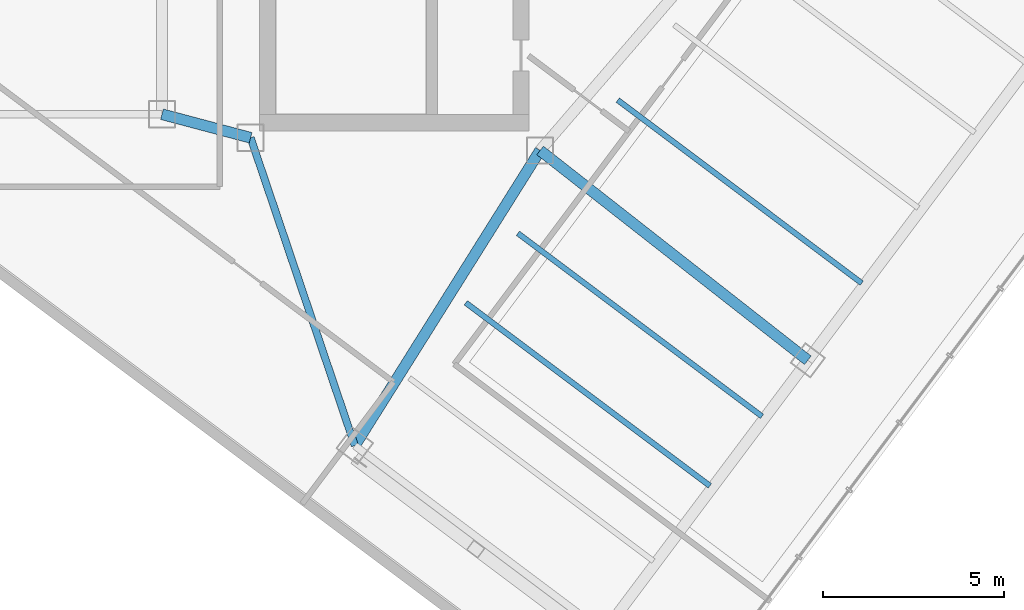
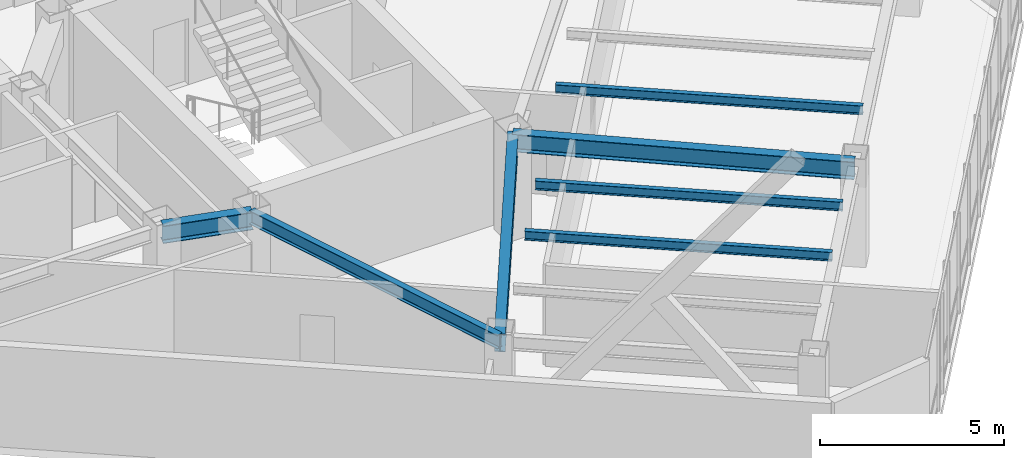
# One storey, part 3 of 24: 7 beams.
"""IFC4 building model written with IfcOpenShell, lengths in metres."""

from ifc_helpers import new_model, si_unit, direction, frame, origin, origin_2d, place, context, subcontext, project, spatial, i_section, extrude, material, material_profile, profile_set, type_object, element, save


model = new_model("IFC4")

# Units and contexts
model_context = context("Model", 3, precision=1e-05, world=origin(), true_north=direction((0.0, 1.0)))
body_context = subcontext(model_context, "Body", "Model", "MODEL_VIEW")
ifc_project = project(units=[si_unit("LENGTHUNIT", "METRE"), si_unit("AREAUNIT", "SQUARE_METRE"), si_unit("VOLUMEUNIT", "CUBIC_METRE"), si_unit("PLANEANGLEUNIT", "RADIAN"), si_unit("MASSUNIT", "GRAM", prefix="KILO")], contexts=[model_context])

# Site, building, storey
site_placement = place(None, origin())
site = spatial("IfcSite", under=ifc_project, at=site_placement, CompositionType="ELEMENT")
building_placement = place(site_placement, origin())
building = spatial("IfcBuilding", under=site, at=building_placement, Name="Hatsunagi Terrace Concourse", CompositionType="ELEMENT")
storey_placement = place(building_placement, frame((0.0, 0.0, 191.550048828125)))
storey = spatial("IfcBuildingStorey", under=building, at=storey_placement, Name="L50", CompositionType="ELEMENT", Elevation=191.550048828125)

# Beams
ifc_material_1 = material(Name="Steel SN490B", Category="steel")
ifc_material_profile_1 = material_profile(ifc_material_1, i_section(OverallWidth=0.300048828125, OverallDepth=0.587890625, WebThickness=0.011962890625, FlangeThickness=0.02001953125, FilletRadius=0.01806640625, at=origin_2d()), Name="H-588x300x12x20")
ifc_profile_set_1 = profile_set([ifc_material_profile_1], Name="Steel SN490B")
beam_type_1 = type_object("IfcBeamType", Name="OfficeHighGirder_H_588x300", PredefinedType="BEAM", material=ifc_profile_set_1)
beam_1_placement = place(storey_placement, frame((33.35009765625, 25.199951171875, 3.055908203125), z_axis=(0.966569840116, -0.256403479262, 0.0), x_axis=(0.256403479262, 0.966569840116, 0.0)))
element("IfcBeam", 1, at=beam_1_placement, inside=storey, type_object=beam_type_1, Name="Beam G-06 BM-L50-K2CB", PredefinedType="BEAM", context=body_context, shape_type="SweptSolid", body=[
    extrude(i_section(OverallWidth=0.300048828125, OverallDepth=0.587890625, WebThickness=0.011962890625, FlangeThickness=0.02001953125, FilletRadius=0.01806640625, at=origin_2d()), origin(), (0.0, 0.0, 1.0), 2.53466796875),
])
beam_2_placement = place(storey_placement, frame((38.679931640625, 16.0400390625, 3.055908203125), z_axis=(0.531503907049, 0.847055840421, 0.0), x_axis=(-0.847055840421, 0.531503907049, 0.0)))
element("IfcBeam", 2, at=beam_2_placement, inside=storey, type_object=beam_type_1, Name="Beam G-06 BM-L50-SET-1A", PredefinedType="BEAM", context=body_context, shape_type="SweptSolid", body=[
    extrude(i_section(OverallWidth=0.300048828125, OverallDepth=0.587890625, WebThickness=0.011962890625, FlangeThickness=0.02001953125, FilletRadius=0.01806640625, at=origin_2d()), origin(), (0.0, 0.0, 1.0), 9.63330078125),
])
beam_3_placement = place(storey_placement, frame((43.800048828125, 24.199951171875, 3.055908203125), z_axis=(0.787049441068, -0.616889923175, 0.0), x_axis=(0.616889923175, 0.787049441068, 0.0)))
element("IfcBeam", 3, at=beam_3_placement, inside=storey, type_object=beam_type_1, Name="Beam G-06 BM-L50-SE-M2", PredefinedType="BEAM", context=body_context, shape_type="SweptSolid", body=[
    extrude(i_section(OverallWidth=0.300048828125, OverallDepth=0.587890625, WebThickness=0.011962890625, FlangeThickness=0.02001953125, FilletRadius=0.01806640625, at=origin_2d()), origin(), (0.0, 0.0, 1.0), 9.402099609375),
])
ifc_material_2 = material(Name="Steel SN490B", Category="steel")
ifc_material_profile_2 = material_profile(ifc_material_2, i_section(OverallWidth=0.14990234375, OverallDepth=0.300048828125, WebThickness=0.006591796875, FlangeThickness=0.009033203125, FilletRadius=0.010986328125, at=origin_2d()), Name="H-300x150x6.5x9")
ifc_profile_set_2 = profile_set([ifc_material_profile_2], Name="Steel SN490B")
beam_type_2 = type_object("IfcBeamType", Name="OfficeJoist_H_300x150", PredefinedType="JOIST", material=ifc_profile_set_2)
for number, where, z_axis, x_axis, name in (
    (4, (41.748046875, 19.989013671875, 3.199951171875), (0.799989573921, -0.600013901187, 0.0), (0.600013901187, 0.799989573921, 0.0), "Beam J-03 J-L50-SE-2-72"),
    (5, (43.18798828125, 21.908935546875, 3.199951171875), (0.800003475366, -0.59999536615, 0.0), (0.59999536615, 0.800003475366, 0.0), "Beam J-03 J-L50-SE-2-96"),
    (6, (45.947998046875, 25.589111328125, 3.199951171875), (0.799989573921, -0.600013901187, 0.0), (0.600013901187, 0.799989573921, 0.0), "Beam J-03 J-L50-SE-2-142"),
):
    element("IfcBeam", number, at=place(storey_placement, frame(where, z_axis=z_axis, x_axis=x_axis)), inside=storey, type_object=beam_type_2, Name=name, PredefinedType="JOIST", context=body_context, shape_type="SweptSolid", body=[
        extrude(i_section(OverallWidth=0.14990234375, OverallDepth=0.300048828125, WebThickness=0.006591796875, FlangeThickness=0.009033203125, FilletRadius=0.010986328125, at=origin_2d()), origin(), (0.0, 0.0, 1.0), 8.429931640625),
    ])
ifc_material_3 = material(Name="Steel SN490B", Category="steel")
ifc_material_profile_3 = material_profile(ifc_material_3, i_section(OverallWidth=0.199951171875, OverallDepth=0.449951171875, WebThickness=0.009033203125, FlangeThickness=0.013916015625, FilletRadius=0.01611328125, at=origin_2d()), Name="H-450x200x9x14")
ifc_profile_set_3 = profile_set([ifc_material_profile_3], Name="Steel SN490B")
beam_type_3 = type_object("IfcBeamType", Name="PerimeterSpandrel_H_450x200", PredefinedType="SPANDREL", material=ifc_profile_set_3)
beam_4_placement = place(storey_placement, frame((35.800048828125, 24.550048828125, 3.125), z_axis=(0.320553412271, -0.947230441805, 0.0), x_axis=(0.947230441805, 0.320553412271, 0.0)))
element("IfcBeam", 7, at=beam_4_placement, inside=storey, type_object=beam_type_3, Name="Beam SP-02 BM-L50-SE-SW0", PredefinedType="SPANDREL", context=body_context, shape_type="SweptSolid", body=[
    extrude(i_section(OverallWidth=0.199951171875, OverallDepth=0.449951171875, WebThickness=0.009033203125, FlangeThickness=0.013916015625, FilletRadius=0.01611328125, at=origin_2d()), origin(), (0.0, 0.0, 1.0), 8.984130859375),
])

save(model, "model.ifc")
